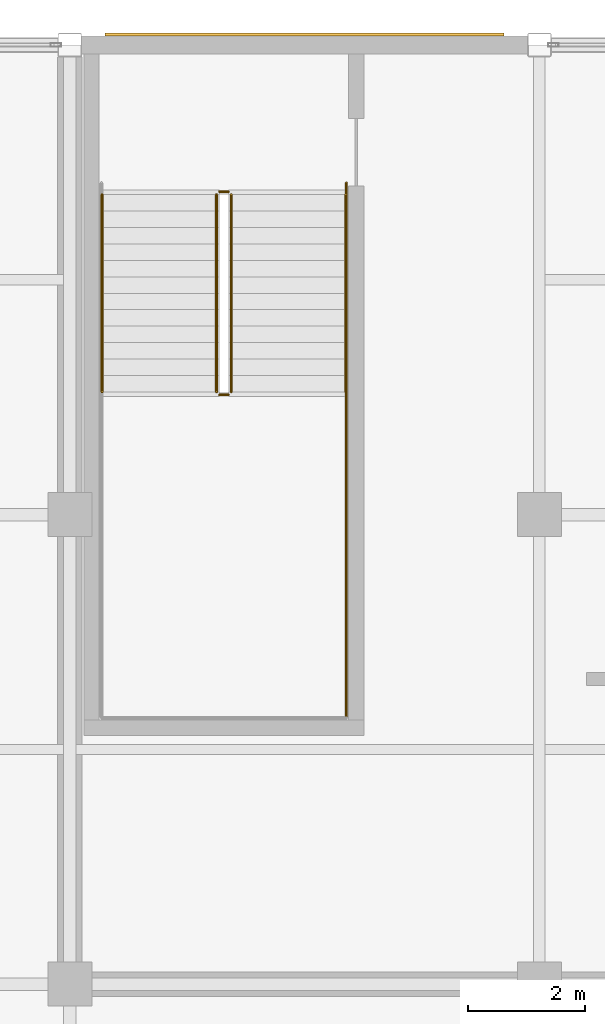
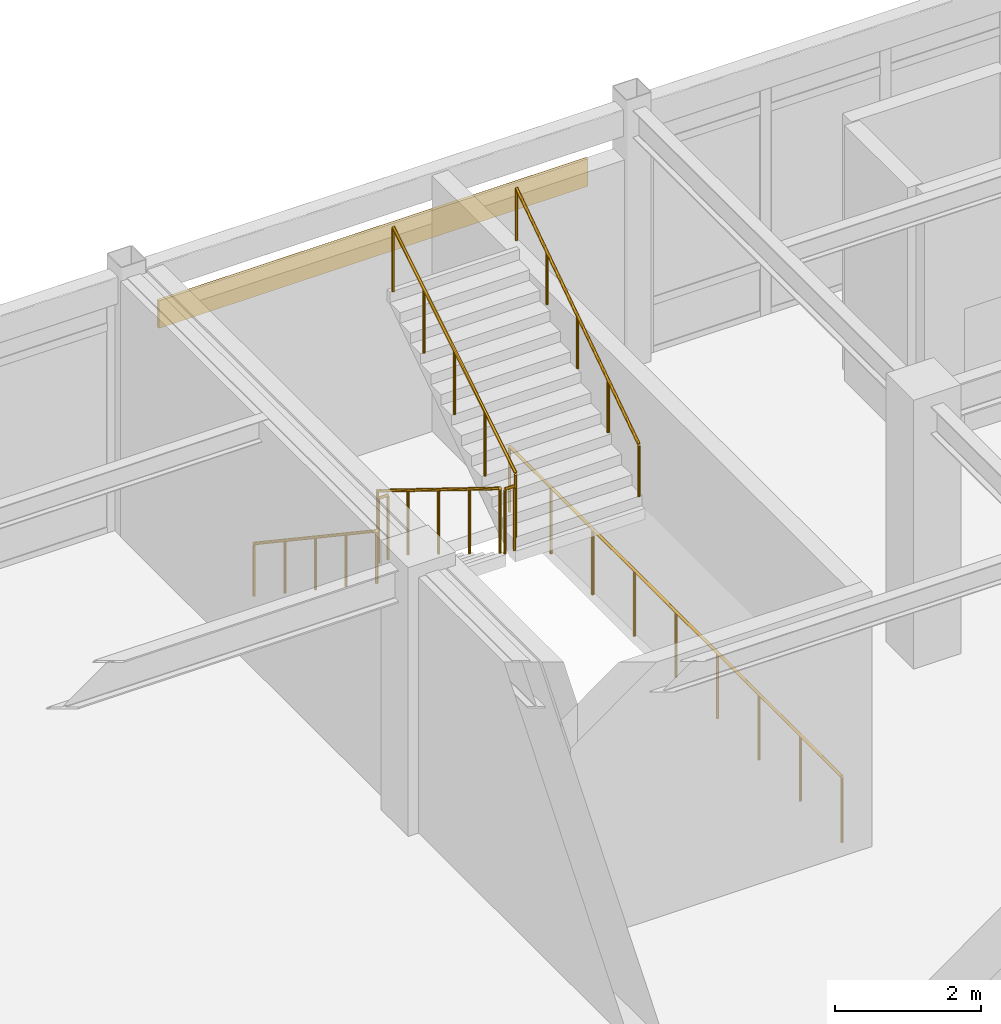
# One storey, part 108 of 111: 7 railings, 1 covering.
"""IFC4 building model written with IfcOpenShell, lengths in metres."""

from ifc_helpers import new_model, si_unit, direction, frame, origin, origin_2d, place, context, subcontext, project, spatial, rectangle, circle, extrude, material, layer, layer_set, type_object, element, save


model = new_model("IFC4")

# Units and contexts
model_context = context("Model", 3, precision=1e-05, world=origin(), true_north=direction((0.0, 1.0)))
body_context = subcontext(model_context, "Body", "Model", "MODEL_VIEW")
ifc_project = project(units=[si_unit("LENGTHUNIT", "METRE"), si_unit("AREAUNIT", "SQUARE_METRE"), si_unit("VOLUMEUNIT", "CUBIC_METRE"), si_unit("PLANEANGLEUNIT", "RADIAN"), si_unit("MASSUNIT", "GRAM", prefix="KILO")], contexts=[model_context])

# Site, building, storey
site_placement = place(None, origin())
site = spatial("IfcSite", under=ifc_project, at=site_placement, CompositionType="ELEMENT")
building_placement = place(site_placement, origin())
building = spatial("IfcBuilding", under=site, at=building_placement, Name="Solmirada Galleria", CompositionType="ELEMENT")
storey_placement = place(building_placement, frame((0.0, 0.0, 10.39990234375)))
storey = spatial("IfcBuildingStorey", under=building, at=storey_placement, Name="L02", CompositionType="ELEMENT", Elevation=10.39990234375)

# Covering
ifc_material_1 = material(Name="Limestone cladding panels", Category="masonry")
ifc_layer = layer(ifc_material_1, 0.044921875)
ifc_layer_set = layer_set([ifc_layer], Name="Limestone cladding panels")
covering_type = type_object("IfcCoveringType", Name="COV-CLAD-LIME", PredefinedType="CLADDING", material=ifc_layer_set)
covering_placement = place(storey_placement, frame((132.0, 120.177490234375, 2.990234375), z_axis=(0.0, 0.0, 1.0), x_axis=(1.0, 0.0, 0.0)))
element("IfcCovering", 1, at=covering_placement, inside=storey, type_object=covering_type, Name="Postmodern facade cladding L02-156", PredefinedType="CLADDING", context=body_context, shape_type="SweptSolid", body=[
    extrude(rectangle(XDim=6.7939453125, YDim=0.044921875, at=origin_2d()), origin(), (0.0, 0.0, 1.0), 0.4599609375),
])

# Railings
ifc_material_2 = material(Name="Painted steel tubular railing", Category="steel")
railing_type_1 = type_object("IfcRailingType", Name="RAIL-STAIR-GUARD", PredefinedType="GUARDRAIL", material=ifc_material_2)
railing_1_placement = place(storey_placement, frame((130.5, 117.449951171875, 0.173095703125)))
element("IfcRailing", 2, at=railing_1_placement, inside=storey, type_object=railing_type_1, Name="L02 ST3 stair guard 1", PredefinedType="GUARDRAIL", context=body_context, shape_type="SweptSolid", body=[
    extrude(circle(Radius=0.02392578125, at=origin_2d()), frame((0.0, 0.0, 1.076171875), z_axis=(0.0, -0.850606129759, 0.525803396734), x_axis=(1.0, 0.0, 0.0)), (0.0, 0.0, 1.0), 3.949951171875),
    extrude(circle(Radius=0.02099609375, at=origin_2d()), origin(), (0.0, 0.0, 1.0), 1.048095703125),
    extrude(circle(Radius=0.02099609375, at=origin_2d()), frame((0.0, -0.83984375, 0.519287109375)), (0.0, 0.0, 1.0), 1.048095703125),
    extrude(circle(Radius=0.02099609375, at=origin_2d()), frame((0.0, -1.679931640625, 1.03857421875)), (0.0, 0.0, 1.0), 1.048095703125),
    extrude(circle(Radius=0.02099609375, at=origin_2d()), frame((0.0, -2.52001953125, 1.5576171875)), (0.0, 0.0, 1.0), 1.048095703125),
    extrude(circle(Radius=0.02099609375, at=origin_2d()), frame((0.0, -3.35986328125, 2.076904296875)), (0.0, 0.0, 1.0), 1.048095703125),
])
railing_2_placement = place(storey_placement, frame((130.550048828125, 114.0400390625, 2.25)))
element("IfcRailing", 3, at=railing_2_placement, inside=storey, type_object=railing_type_1, Name="L02 ST3 stair guard 2", PredefinedType="GUARDRAIL", context=body_context, shape_type="SweptSolid", body=[
    extrude(circle(Radius=0.02392578125, at=origin_2d()), frame((0.0, 0.0, 1.076171875), z_axis=(1.0, 0.0, 0.0), x_axis=(0.0, 1.0, 0.0)), (0.0, 0.0, 1.0), 0.14990234375),
    extrude(circle(Radius=0.02099609375, at=origin_2d()), origin(), (0.0, 0.0, 1.0), 1.048095703125),
    extrude(circle(Radius=0.02099609375, at=origin_2d()), frame((0.14990234375, 0.0, 0.0)), (0.0, 0.0, 1.0), 1.048095703125),
])
railing_3_placement = place(storey_placement, frame((130.75, 114.090087890625, 2.423095703125)))
element("IfcRailing", 4, at=railing_3_placement, inside=storey, type_object=railing_type_1, Name="L02 ST3 stair guard 3", PredefinedType="GUARDRAIL", context=body_context, shape_type="SweptSolid", body=[
    extrude(circle(Radius=0.02392578125, at=origin_2d()), frame((0.0, 0.0, 1.076171875), z_axis=(0.0, 0.850606129759, 0.525803396734), x_axis=(-1.0, 0.0, 0.0)), (0.0, 0.0, 1.0), 3.949951171875),
    extrude(circle(Radius=0.02099609375, at=origin_2d()), origin(), (0.0, 0.0, 1.0), 1.048095703125),
    extrude(circle(Radius=0.02099609375, at=origin_2d()), frame((0.0, 0.83984375, 0.519287109375)), (0.0, 0.0, 1.0), 1.048095703125),
    extrude(circle(Radius=0.02099609375, at=origin_2d()), frame((0.0, 1.679931640625, 1.03857421875)), (0.0, 0.0, 1.0), 1.048095703125),
    extrude(circle(Radius=0.02099609375, at=origin_2d()), frame((0.0, 2.52001953125, 1.5576171875)), (0.0, 0.0, 1.0), 1.048095703125),
    extrude(circle(Radius=0.02099609375, at=origin_2d()), frame((0.0, 3.35986328125, 2.076904296875)), (0.0, 0.0, 1.0), 1.048095703125),
])
railing_4_placement = place(storey_placement, frame((130.550048828125, 117.5, 0.0)))
element("IfcRailing", 5, at=railing_4_placement, inside=storey, type_object=railing_type_1, Name="L02 ST3 stair guard 4", PredefinedType="GUARDRAIL", context=body_context, shape_type="SweptSolid", body=[
    extrude(circle(Radius=0.02392578125, at=origin_2d()), frame((0.0, 0.0, 1.076171875), z_axis=(1.0, 0.0, 0.0), x_axis=(0.0, 1.0, 0.0)), (0.0, 0.0, 1.0), 0.14990234375),
    extrude(circle(Radius=0.02099609375, at=origin_2d()), origin(), (0.0, 0.0, 1.0), 1.048095703125),
    extrude(circle(Radius=0.02099609375, at=origin_2d()), frame((0.14990234375, 0.0, 0.0)), (0.0, 0.0, 1.0), 1.048095703125),
])
railing_5_placement = place(storey_placement, frame((132.7099609375, 117.64990234375, 0.0)))
element("IfcRailing", 6, at=railing_5_placement, inside=storey, type_object=railing_type_1, Name="Stair ST3 well edge guard L02-1", PredefinedType="GUARDRAIL", context=body_context, shape_type="SweptSolid", body=[
    extrude(circle(Radius=0.02392578125, at=origin_2d()), frame((0.0, 0.0, 1.09619140625), z_axis=(0.0, -1.0, 0.0), x_axis=(1.0, 0.0, 0.0)), (0.0, 0.0, 1.0), 9.10986328125),
    extrude(circle(Radius=0.02099609375, at=origin_2d()), origin(), (0.0, 0.0, 1.0), 1.068115234375),
    extrude(circle(Radius=0.02099609375, at=origin_2d()), frame((0.0, -1.138671875, 0.0)), (0.0, 0.0, 1.0), 1.068115234375),
    extrude(circle(Radius=0.02099609375, at=origin_2d()), frame((0.0, -2.27734375, 0.0)), (0.0, 0.0, 1.0), 1.068115234375),
    extrude(circle(Radius=0.02099609375, at=origin_2d()), frame((0.0, -3.416259765625, 0.0)), (0.0, 0.0, 1.0), 1.068115234375),
    extrude(circle(Radius=0.02099609375, at=origin_2d()), frame((0.0, -4.554931640625, 0.0)), (0.0, 0.0, 1.0), 1.068115234375),
    extrude(circle(Radius=0.02099609375, at=origin_2d()), frame((0.0, -5.693603515625, 0.0)), (0.0, 0.0, 1.0), 1.068115234375),
    extrude(circle(Radius=0.02099609375, at=origin_2d()), frame((0.0, -6.83251953125, 0.0)), (0.0, 0.0, 1.0), 1.068115234375),
    extrude(circle(Radius=0.02099609375, at=origin_2d()), frame((0.0, -7.97119140625, 0.0)), (0.0, 0.0, 1.0), 1.068115234375),
    extrude(circle(Radius=0.02099609375, at=origin_2d()), frame((0.0, -9.10986328125, 0.0)), (0.0, 0.0, 1.0), 1.068115234375),
])
railing_type_2 = type_object("IfcRailingType", Name="RAIL-STAIR-HAND", PredefinedType="HANDRAIL", material=ifc_material_2)
railing_6_placement = place(storey_placement, frame((128.550048828125, 117.449951171875, 0.173095703125)))
element("IfcRailing", 7, at=railing_6_placement, inside=storey, type_object=railing_type_2, Name="L02 ST3 stair handrail 1", PredefinedType="HANDRAIL", context=body_context, shape_type="SweptSolid", body=[
    extrude(circle(Radius=0.02392578125, at=origin_2d()), frame((0.0, 0.0, 0.8759765625), z_axis=(0.0, -0.830896709279, 0.556426687452), x_axis=(1.0, 0.0, 0.0)), (0.0, 0.0, 1.0), 4.043701171875),
    extrude(circle(Radius=0.02099609375, at=origin_2d()), origin(), (0.0, 0.0, 1.0), 0.847900390625),
    extrude(circle(Radius=0.02099609375, at=origin_2d()), frame((0.0, -0.83984375, 0.5625)), (0.0, 0.0, 1.0), 0.847900390625),
    extrude(circle(Radius=0.02099609375, at=origin_2d()), frame((0.0, -1.679931640625, 1.125)), (0.0, 0.0, 1.0), 0.847900390625),
    extrude(circle(Radius=0.02099609375, at=origin_2d()), frame((0.0, -2.52001953125, 1.6875)), (0.0, 0.0, 1.0), 0.847900390625),
    extrude(circle(Radius=0.02099609375, at=origin_2d()), frame((0.0, -3.35986328125, 2.25)), (0.0, 0.0, 1.0), 0.847900390625),
])
railing_7_placement = place(storey_placement, frame((132.699951171875, 114.090087890625, 2.423095703125)))
element("IfcRailing", 8, at=railing_7_placement, inside=storey, type_object=railing_type_2, Name="L02 ST3 stair handrail 2", PredefinedType="HANDRAIL", context=body_context, shape_type="SweptSolid", body=[
    extrude(circle(Radius=0.02392578125, at=origin_2d()), frame((0.0, 0.0, 0.8759765625), z_axis=(0.0, 0.830896709279, 0.556426687452), x_axis=(-1.0, 0.0, 0.0)), (0.0, 0.0, 1.0), 4.043701171875),
    extrude(circle(Radius=0.02099609375, at=origin_2d()), origin(), (0.0, 0.0, 1.0), 0.847900390625),
    extrude(circle(Radius=0.02099609375, at=origin_2d()), frame((0.0, 0.83984375, 0.5625)), (0.0, 0.0, 1.0), 0.847900390625),
    extrude(circle(Radius=0.02099609375, at=origin_2d()), frame((0.0, 1.679931640625, 1.125)), (0.0, 0.0, 1.0), 0.847900390625),
    extrude(circle(Radius=0.02099609375, at=origin_2d()), frame((0.0, 2.52001953125, 1.6875)), (0.0, 0.0, 1.0), 0.847900390625),
    extrude(circle(Radius=0.02099609375, at=origin_2d()), frame((0.0, 3.35986328125, 2.25)), (0.0, 0.0, 1.0), 0.847900390625),
])

save(model, "model.ifc")
